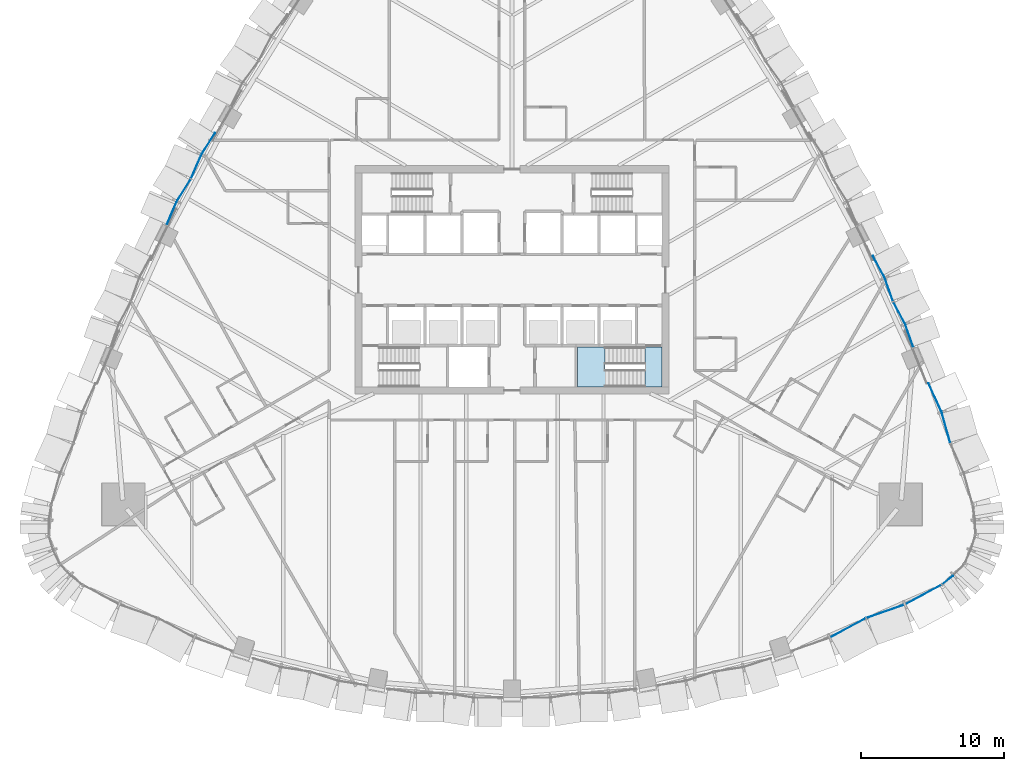
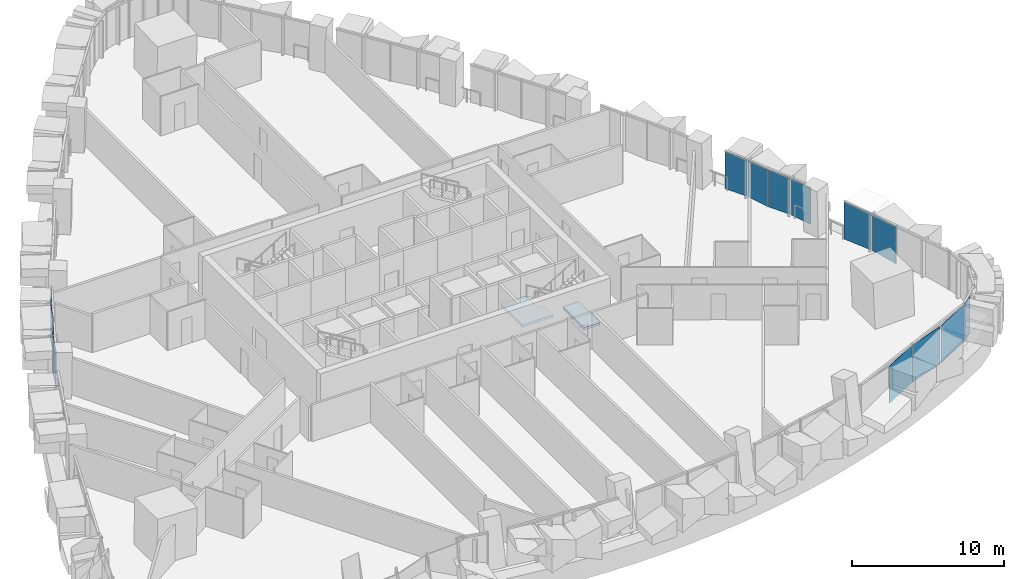
# One storey, part 11 of 27: 14 plates, 2 slabs, 6 elements without a shape of their own.
"""IFC4 building model written with IfcOpenShell, lengths in metres."""

from ifc_helpers import new_model, si_unit, direction, frame, origin, place, context, subcontext, project, spatial, polyline, outline, extrude, material, layer, layer_set, type_object, element, aggregate, save


model = new_model("IFC4")

# Units and contexts
model_context = context("Model", 3, precision=1e-05, world=origin(), true_north=direction((0.0, 1.0)))
body_context = subcontext(model_context, "Body", "Model", "MODEL_VIEW")
ifc_project = project(units=[si_unit("LENGTHUNIT", "METRE"), si_unit("AREAUNIT", "SQUARE_METRE"), si_unit("VOLUMEUNIT", "CUBIC_METRE"), si_unit("PLANEANGLEUNIT", "RADIAN"), si_unit("MASSUNIT", "GRAM", prefix="KILO")], contexts=[model_context])

# Site, building, storey
site_placement = place(None, origin())
site = spatial("IfcSite", under=ifc_project, at=site_placement, CompositionType="ELEMENT")
building_placement = place(site_placement, origin())
building = spatial("IfcBuilding", under=site, at=building_placement, Name="Sierra Prisma Convention Tower", CompositionType="ELEMENT")
storey_placement = place(building_placement, frame((0.0, 0.0, 48.0)))
storey = spatial("IfcBuildingStorey", under=building, at=storey_placement, Name="L07", CompositionType="ELEMENT", Elevation=48.0)

# Curtain wall, plates
ifc_material_1 = material(Name="Aluminium and glass curtain wall", Category="aluminium")
ifc_layer_1 = layer(ifc_material_1, 0.179931640625)
ifc_layer_set_1 = layer_set([ifc_layer_1], Name="CW-2 Faceted crystal curtain wall")
curtain_wall_type = type_object("IfcCurtainWallType", Name="CW-2 Faceted crystal curtain wall", PredefinedType="NOTDEFINED", material=ifc_layer_set_1)
curtain_wall_1_placement = place(storey_placement, origin())
curtain_wall_1 = element("IfcCurtainWall", 1, at=curtain_wall_1_placement, inside=storey, type_object=curtain_wall_type, Name="CW-2 S6 L07", PredefinedType="NOTDEFINED")
ifc_material_2 = material(Name="Tinted glass bronze-grey IGU", Category="glass")
ifc_layer_2 = layer(ifc_material_2, 0.028076171875)
ifc_layer_set_2 = layer_set([ifc_layer_2], Name="CW-2 crystal pane")
plate_type = type_object("IfcPlateType", Name="CW-2 crystal pane", PredefinedType="CURTAIN_PANEL", material=ifc_layer_set_2)
plate_1_placement = place(storey_placement, frame((24.7705078125, -23.717041015625, 0.0), z_axis=(0.474052759315, -0.880496440303, 0.0), x_axis=(-0.880496440303, -0.474052759315, 0.0)))
plate_1 = element("IfcPlate", 2, at=plate_1_placement, type_object=plate_type, Name="CW-2 pane S6.1.2", PredefinedType="CURTAIN_PANEL", context=body_context, shape_type="SweptSolid", body=[
    extrude(outline(polyline([(0.0, 0.0), (2.7841293881681937, 0.0), (2.7841293881681937, -2.97998046875), (0.0, -2.97998046875), (0.0, 0.0)])), origin(), (0.0, 0.0, -1.0), 0.028076171875),
])
plate_2_placement = place(storey_placement, frame((24.834716796875, -23.68896484375, 0.0), z_axis=(0.330424639919, -0.943832377774, 0.0), x_axis=(0.943832377774, 0.330424639919, 0.0)))
plate_2 = element("IfcPlate", 3, at=plate_2_placement, type_object=plate_type, Name="CW-2 pane S6.2.1", PredefinedType="CURTAIN_PANEL", context=body_context, shape_type="SweptSolid", body=[
    extrude(outline(polyline([(0.0, 0.0), (2.7840595520497198, 0.0), (2.7840595520497198, 2.97998046875), (0.0, 2.97998046875), (0.0, 0.0)])), origin(), (0.0, 0.0, -1.0), 0.028076171875),
])
plate_3_placement = place(storey_placement, frame((30.0322265625, -21.39697265625, 0.0), z_axis=(0.473984771211, -0.880533041208, 0.0), x_axis=(-0.880533041208, -0.473984771211, 0.0)))
plate_3 = element("IfcPlate", 4, at=plate_3_placement, type_object=plate_type, Name="CW-2 pane S6.2.2", PredefinedType="CURTAIN_PANEL", context=body_context, shape_type="SweptSolid", body=[
    extrude(outline(polyline([(0.0, 0.0), (2.7840136609304076, 0.0), (2.7840136609304076, -2.97998046875), (0.0, -2.97998046875), (0.0, 0.0)])), origin(), (0.0, 0.0, -1.0), 0.028076171875),
])
aggregate(curtain_wall_1, [plate_1, plate_2, plate_3])

# Curtain wall, plate
curtain_wall_2_placement = place(storey_placement, origin())
curtain_wall_2 = element("IfcCurtainWall", 5, at=curtain_wall_2_placement, inside=storey, type_object=curtain_wall_type, Name="CW-2 SE1 L07", PredefinedType="NOTDEFINED")
plate_4_placement = place(storey_placement, frame((30.147705078125, -21.3212890625, 0.0), z_axis=(0.618241875666, -0.785987902688, 0.0), x_axis=(0.785987902688, 0.618241875666, 0.0)))
plate_4 = element("IfcPlate", 6, at=plate_4_placement, type_object=plate_type, Name="CW-2 pane SE1.1.1", PredefinedType="CURTAIN_PANEL", context=body_context, shape_type="SweptSolid", body=[
    extrude(outline(polyline([(0.0, 0.0), (0.9489326830906705, 0.0), (0.9489326830906705, 2.97998046875), (0.0, 2.97998046875), (0.0, 0.0)])), origin(), (0.0, 0.0, -1.0), 0.028076171875),
])
aggregate(curtain_wall_2, [plate_4])

# Curtain wall, plates
curtain_wall_3_placement = place(storey_placement, origin())
curtain_wall_3 = element("IfcCurtainWall", 7, at=curtain_wall_3_placement, inside=storey, type_object=curtain_wall_type, Name="CW-2 NE1 L07", PredefinedType="NOTDEFINED")
plate_5_placement = place(storey_placement, frame((30.708251953125, -11.41455078125, 0.0), z_axis=(0.963696623228, 0.266999659886, 0.0), x_axis=(-0.266999659886, 0.963696623228, 0.0)))
plate_5 = element("IfcPlate", 8, at=plate_5_placement, type_object=plate_type, Name="CW-2 pane NE1.2.1", PredefinedType="CURTAIN_PANEL", context=body_context, shape_type="SweptSolid", body=[
    extrude(outline(polyline([(0.0, 0.0), (2.169836858119144, 0.0), (2.169836858119144, 2.9799804687500004), (0.0, 2.9799804687500004), (0.0, 0.0)])), origin(), (0.0, 0.0, -1.0), 0.028076171875),
])
plate_6_placement = place(storey_placement, frame((29.185302734375, -7.226806640625, 0.0), z_axis=(0.910104282246, 0.414379289345, 0.0), x_axis=(0.414379289345, -0.910104282246, 0.0)))
plate_6 = element("IfcPlate", 9, at=plate_6_placement, type_object=plate_type, Name="CW-2 pane NE1.2.2", PredefinedType="CURTAIN_PANEL", context=body_context, shape_type="SweptSolid", body=[
    extrude(outline(polyline([(0.0, 0.0), (2.1699200346052194, 0.0), (2.1699200346052194, -2.9799804687500004), (0.0, -2.9799804687500004), (0.0, 0.0)])), origin(), (0.0, 0.0, -1.0), 0.028076171875),
])
aggregate(curtain_wall_3, [plate_5, plate_6])

curtain_wall_4_placement = place(storey_placement, origin())
curtain_wall_4 = element("IfcCurtainWall", 10, at=curtain_wall_4_placement, inside=storey, type_object=curtain_wall_type, Name="CW-2 NE2 L07", PredefinedType="NOTDEFINED")
plate_7_placement = place(storey_placement, frame((28.123046875, -4.712890625, 0.0), z_axis=(0.943445318503, 0.331528175265, 0.0), x_axis=(-0.331528175265, 0.943445318503, 0.0)))
plate_7 = element("IfcPlate", 11, at=plate_7_placement, type_object=plate_type, Name="CW-2 pane NE2.1.1", PredefinedType="CURTAIN_PANEL", context=body_context, shape_type="SweptSolid", body=[
    extrude(outline(polyline([(0.0, 0.0), (1.670914026184314, 0.0), (1.670914026184314, 2.97998046875), (0.0, 2.97998046875), (0.0, 0.0)])), origin(), (0.0, 0.0, -1.0), 0.028076171875),
])
plate_8_placement = place(storey_placement, frame((26.722900390625, -1.547607421875, 0.0), z_axis=(0.879959153374, 0.47504935364, 0.0), x_axis=(0.47504935364, -0.879959153374, 0.0)))
plate_8 = element("IfcPlate", 12, at=plate_8_placement, type_object=plate_type, Name="CW-2 pane NE2.1.2", PredefinedType="CURTAIN_PANEL", context=body_context, shape_type="SweptSolid", body=[
    extrude(outline(polyline([(0.0, 0.0), (1.6707762378662756, 0.0), (1.6707762378662756, -2.97998046875), (0.0, -2.97998046875), (0.0, 0.0)])), origin(), (0.0, 0.0, -1.0), 0.028076171875),
])
plate_9_placement = place(storey_placement, frame((26.694580078125, -1.483642578125, 0.0), z_axis=(0.943445318503, 0.331528175265, 0.0), x_axis=(-0.331528175265, 0.943445318503, 0.0)))
plate_9 = element("IfcPlate", 13, at=plate_9_placement, type_object=plate_type, Name="CW-2 pane NE2.2.1", PredefinedType="CURTAIN_PANEL", context=body_context, shape_type="SweptSolid", body=[
    extrude(outline(polyline([(0.0, 0.0), (1.670914026184314, 0.0), (1.670914026184314, 2.97998046875), (0.0, 2.97998046875), (0.0, 0.0)])), origin(), (0.0, 0.0, -1.0), 0.028076171875),
])
plate_10_placement = place(storey_placement, frame((25.294677734375, 1.681640625, 0.0), z_axis=(0.879959153374, 0.47504935364, 0.0), x_axis=(0.47504935364, -0.879959153374, 0.0)))
plate_10 = element("IfcPlate", 14, at=plate_10_placement, type_object=plate_type, Name="CW-2 pane NE2.2.2", PredefinedType="CURTAIN_PANEL", context=body_context, shape_type="SweptSolid", body=[
    extrude(outline(polyline([(0.0, 0.0), (1.6707762378662756, 0.0), (1.6707762378662756, -2.97998046875), (0.0, -2.97998046875), (0.0, 0.0)])), origin(), (0.0, 0.0, -1.0), 0.028076171875),
])
aggregate(curtain_wall_4, [plate_7, plate_8, plate_9, plate_10])

curtain_wall_5_placement = place(storey_placement, origin())
curtain_wall_5 = element("IfcCurtainWall", 15, at=curtain_wall_5_placement, inside=storey, type_object=curtain_wall_type, Name="CW-2 NW4 L07", PredefinedType="NOTDEFINED")
plate_11_placement = place(storey_placement, frame((-20.810302734375, 10.306640625, 0.0), z_axis=(-0.845814470733, 0.533477160803, 0.0), x_axis=(-0.533477160803, -0.845814470733, 0.0)))
plate_11 = element("IfcPlate", 16, at=plate_11_placement, type_object=plate_type, Name="CW-2 pane NW4.1.1", PredefinedType="CURTAIN_PANEL", context=body_context, shape_type="SweptSolid", body=[
    extrude(outline(polyline([(0.0, 0.0), (1.745439940387182, 0.0), (1.745439940387182, 2.97998046875), (0.0, 2.97998046875), (0.0, 0.0)])), origin(), (0.0, 0.0, -1.0), 0.028076171875),
])
plate_12_placement = place(storey_placement, frame((-22.490234375, 7.11181640625, 0.0), z_axis=(-0.918906091549, 0.394476355331, 0.0), x_axis=(0.394476355331, 0.918906091549, 0.0)))
plate_12 = element("IfcPlate", 17, at=plate_12_placement, type_object=plate_type, Name="CW-2 pane NW4.1.2", PredefinedType="CURTAIN_PANEL", context=body_context, shape_type="SweptSolid", body=[
    extrude(outline(polyline([(0.0, 0.0), (1.7452923431188747, 0.0), (1.7452923431188747, -2.97998046875), (0.0, -2.97998046875), (0.0, 0.0)])), origin(), (0.0, 0.0, -1.0), 0.028076171875),
])
plate_13_placement = place(storey_placement, frame((-22.52294921875, 7.0498046875, 0.0), z_axis=(-0.845877583578, 0.533377083873, 0.0), x_axis=(-0.533377083873, -0.845877583578, 0.0)))
plate_13 = element("IfcPlate", 18, at=plate_13_placement, type_object=plate_type, Name="CW-2 pane NW4.2.1", PredefinedType="CURTAIN_PANEL", context=body_context, shape_type="SweptSolid", body=[
    extrude(outline(polyline([(0.0, 0.0), (1.745309709155687, 0.0), (1.745309709155687, 2.97998046875), (0.0, 2.97998046875), (0.0, 0.0)])), origin(), (0.0, 0.0, -1.0), 0.028076171875),
])
plate_14_placement = place(storey_placement, frame((-24.202880859375, 3.85498046875, 0.0), z_axis=(-0.918906091549, 0.394476355331, 0.0), x_axis=(0.394476355331, 0.918906091549, 0.0)))
plate_14 = element("IfcPlate", 19, at=plate_14_placement, type_object=plate_type, Name="CW-2 pane NW4.2.2", PredefinedType="CURTAIN_PANEL", context=body_context, shape_type="SweptSolid", body=[
    extrude(outline(polyline([(0.0, 0.0), (1.7452923431188747, 0.0), (1.7452923431188747, -2.97998046875), (0.0, -2.97998046875), (0.0, 0.0)])), origin(), (0.0, 0.0, -1.0), 0.028076171875),
])
aggregate(curtain_wall_5, [plate_11, plate_12, plate_13, plate_14])

# Stair, slab
ifc_material_3 = material(Name="Concrete C30/37", Category="concrete")
stair_type = type_object("IfcStairType", Name="Stair dog-leg 1200 RC", PredefinedType="HALF_TURN_STAIR", material=ifc_material_3)
stair_placement = place(storey_placement, origin())
stair = element("IfcStair", 20, at=stair_placement, inside=storey, type_object=stair_type, Name="L07 S2", PredefinedType="HALF_TURN_STAIR")
ifc_material_4 = material(Name="Concrete C35/45", Category="concrete")
ifc_layer_3 = layer(ifc_material_4, 0.199951171875)
ifc_layer_set_3 = layer_set([ifc_layer_3], Name="Stair landing slab")
slab_type = type_object("IfcSlabType", Name="Stair landing slab", PredefinedType="LANDING", material=ifc_layer_set_3)
slab_1_placement = place(storey_placement, frame((0.0, 0.0, 1.64990234375)))
slab_1 = element("IfcSlab", 21, at=slab_1_placement, type_object=slab_type, Name="S2 landing 1", PredefinedType="LANDING", context=body_context, shape_type="SweptSolid", body=[
    extrude(outline(polyline([(6.949951171875, -6.300048828125), (6.949951171875, -7.5), (4.60009765625, -7.5), (4.60009765625, -4.699951171875), (6.501953125, -4.699951171875), (6.501953125, -6.300048828125), (6.949951171875, -6.300048828125)])), origin(), (0.0, 0.0, 1.0), 0.2001953125),
])
aggregate(stair, [slab_1])

# Slab
slab_2_placement = place(storey_placement, frame((0.0, 0.0, -0.199951171875)))
element("IfcSlab", 22, at=slab_2_placement, inside=storey, type_object=slab_type, Name="S2 floor landing L07", PredefinedType="LANDING", context=body_context, shape_type="SweptSolid", body=[
    extrude(outline(polyline([(10.5, -4.699951171875), (9.298095703125, -4.699951171875), (9.298095703125, -7.5), (10.5, -7.5), (10.5, -4.699951171875)])), origin(), (0.0, 0.0, 1.0), 0.199951171875),
])

save(model, "model.ifc")
